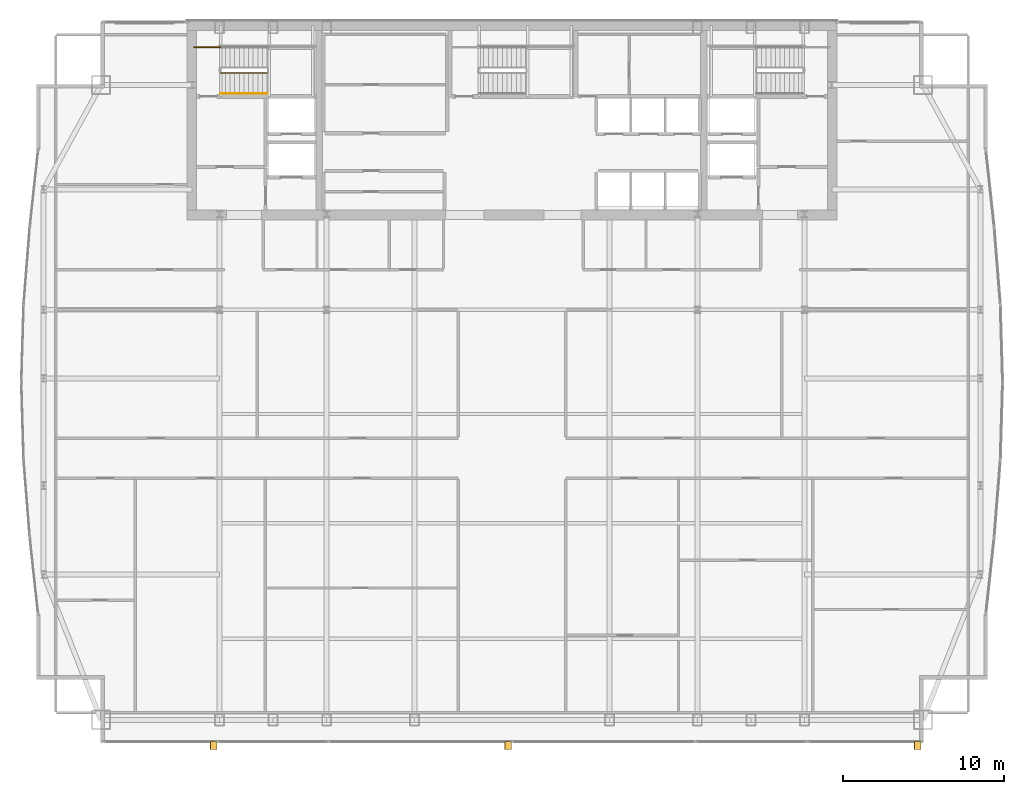
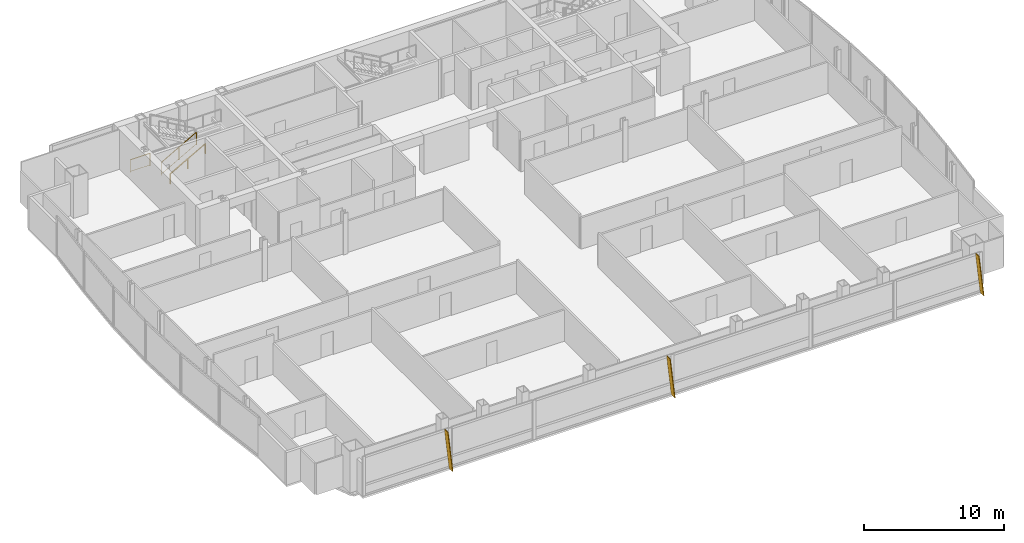
# One storey, part 31 of 32: 3 railings, 3 shading devices.
"""IFC4 building model written with IfcOpenShell, lengths in metres."""

from ifc_helpers import new_model, si_unit, direction, frame, origin, origin_2d, place, context, subcontext, project, spatial, polyline, rectangle, outline, extrude, material, layer, layer_set, type_object, element, save


model = new_model("IFC4")

# Units and contexts
model_context = context("Model", 3, precision=1e-05, world=origin(), true_north=direction((0.0, 1.0)))
body_context = subcontext(model_context, "Body", "Model", "MODEL_VIEW")
ifc_project = project(units=[si_unit("LENGTHUNIT", "METRE"), si_unit("AREAUNIT", "SQUARE_METRE"), si_unit("VOLUMEUNIT", "CUBIC_METRE"), si_unit("PLANEANGLEUNIT", "RADIAN"), si_unit("MASSUNIT", "GRAM", prefix="KILO")], contexts=[model_context])

# Site, building, storey
site_placement = place(None, origin())
site = spatial("IfcSite", under=ifc_project, at=site_placement, CompositionType="ELEMENT")
building_placement = place(site_placement, origin())
building = spatial("IfcBuilding", under=site, at=building_placement, Name="Khoronbel Lancet Exchange", CompositionType="ELEMENT")
storey_placement = place(building_placement, frame((0.0, 0.0, 192.199951171875)))
storey = spatial("IfcBuildingStorey", under=building, at=storey_placement, Name="L48", CompositionType="ELEMENT", Elevation=192.199951171875)

# Railings
ifc_material_1 = material(Name="Painted Steel Balustrade", Category="steel")
railing_type_1 = type_object("IfcRailingType", Name="RL-STG110", PredefinedType="GUARDRAIL", material=ifc_material_1)
railing_1_placement = place(storey_placement, frame((18.300048828125, 50.449951171875, 0.16357421875)))
element("IfcRailing", 1, at=railing_1_placement, inside=storey, type_object=railing_type_1, Name="L48 ST1 stair guard 1", PredefinedType="GUARDRAIL", context=body_context, shape_type="SweptSolid", body=[
    extrude(rectangle(XDim=0.048095703125, YDim=0.048095703125, at=origin_2d()), frame((0.0, 0.0, 1.09619140625), z_axis=(0.870897200241, 0.0, 0.491465224214), x_axis=(0.0, 1.0, 0.0)), (0.0, 0.0, 1.0), 3.329833984375),
    extrude(rectangle(XDim=0.02392578125, YDim=0.02392578125, at=origin_2d()), frame((0.0, 0.0, 0.080078125), z_axis=(0.870897200241, 0.0, 0.491465224214), x_axis=(0.0, 1.0, 0.0)), (0.0, 0.0, 1.0), 3.329833984375),
    extrude(rectangle(XDim=0.0419921875, YDim=0.0419921875, at=origin_2d()), origin(), (0.0, 0.0, 1.0), 1.072021484375),
    extrude(rectangle(XDim=0.0419921875, YDim=0.0419921875, at=origin_2d()), frame((1.449951171875, 0.0, 0.818359375)), (0.0, 0.0, 1.0), 1.072021484375),
    extrude(rectangle(XDim=0.0419921875, YDim=0.0419921875, at=origin_2d()), frame((2.89990234375, 0.0, 1.636474609375)), (0.0, 0.0, 1.0), 1.072021484375),
])
railing_2_placement = place(storey_placement, frame((16.64990234375, 52.050048828125, 0.0)))
element("IfcRailing", 2, at=railing_2_placement, inside=storey, type_object=railing_type_1, Name="L48 ST1 stair guard 6", PredefinedType="GUARDRAIL", context=body_context, shape_type="SweptSolid", body=[
    extrude(rectangle(XDim=0.048095703125, YDim=0.048095703125, at=origin_2d()), frame((0.0, 0.0, 1.09619140625), z_axis=(1.0, 0.0, 0.0), x_axis=(0.0, 1.0, 0.0)), (0.0, 0.0, 1.0), 1.650146484375),
    extrude(rectangle(XDim=0.02392578125, YDim=0.02392578125, at=origin_2d()), frame((0.0, 0.0, 0.080078125), z_axis=(1.0, 0.0, 0.0), x_axis=(0.0, 1.0, 0.0)), (0.0, 0.0, 1.0), 1.650146484375),
    extrude(rectangle(XDim=0.0419921875, YDim=0.0419921875, at=origin_2d()), origin(), (0.0, 0.0, 1.0), 1.072021484375),
    extrude(rectangle(XDim=0.0419921875, YDim=0.0419921875, at=origin_2d()), frame((1.650146484375, 0.0, 0.0)), (0.0, 0.0, 1.0), 1.072021484375),
])
ifc_material_2 = material(Name="Brushed Stainless Steel 316", Category="steel")
railing_type_2 = type_object("IfcRailingType", Name="RL-STH92", PredefinedType="HANDRAIL", material=ifc_material_2)
railing_3_placement = place(storey_placement, frame((18.300048828125, 49.169921875, 0.16357421875)))
element("IfcRailing", 3, at=railing_3_placement, inside=storey, type_object=railing_type_2, Name="L48 ST1 stair handrail 1", PredefinedType="HANDRAIL", context=body_context, shape_type="SweptSolid", body=[
    extrude(rectangle(XDim=0.048095703125, YDim=0.048095703125, at=origin_2d()), frame((0.0, 0.0, 0.8759765625), z_axis=(0.870897200241, 0.0, 0.491465224214), x_axis=(0.0, 1.0, 0.0)), (0.0, 0.0, 1.0), 3.329833984375),
    extrude(rectangle(XDim=0.0419921875, YDim=0.0419921875, at=origin_2d()), origin(), (0.0, 0.0, 1.0), 0.851806640625),
    extrude(rectangle(XDim=0.0419921875, YDim=0.0419921875, at=origin_2d()), frame((1.449951171875, 0.0, 0.818359375)), (0.0, 0.0, 1.0), 0.851806640625),
    extrude(rectangle(XDim=0.0419921875, YDim=0.0419921875, at=origin_2d()), frame((2.89990234375, 0.0, 1.636474609375)), (0.0, 0.0, 1.0), 0.851806640625),
])

# Shading devices
ifc_material_3 = material(Name="Bronze-Anodised Aluminium 6063-T6", Category="aluminium")
ifc_layer = layer(ifc_material_3, 0.054931640625, Name="Bronze-Anodised Aluminium 6063-T6")
ifc_layer_set = layer_set([ifc_layer], Name="Bronze-Anodised Aluminium 6063-T6")
shading_device_type = type_object("IfcShadingDeviceType", Name="SHD-FIN1", PredefinedType="USERDEFINED", material=ifc_layer_set)
for number, where, z_axis, x_axis, name in (
    (4, (18.072509765625, 8.81005859375, -0.079833984375), (0.99389951861, 0.0, 0.110289378034), (0.0, -1.0, 0.0), "Slanted bronze solar fin CW-L48-SWV-1"),
    (5, (36.422607421875, 8.81005859375, -0.079833984375), (0.99389951861, 0.0, 0.110289378034), (0.0, -1.0, 0.0), "Slanted bronze solar fin CW-L48-SCV-1"),
    (6, (61.9326171875, 8.81005859375, -0.079833984375), (0.99389951861, 0.0, 0.110289378034), (0.0, -1.0, 0.0), "Slanted bronze solar fin CW-L48-SEV-1"),
):
    element("IfcShadingDevice", number, at=place(storey_placement, frame(where, z_axis=z_axis, x_axis=x_axis)), inside=storey, type_object=shading_device_type, Name=name, ObjectType="FIN", PredefinedType="USERDEFINED", context=body_context, shape_type="SweptSolid", body=[
        extrude(outline(polyline([(0.0, 0.0), (0.52001953125, 0.0), (0.52001953125, -3.58154296875), (0.0, -3.58154296875), (0.0, 0.0)])), origin(), (0.0, 0.0, -1.0), 0.054931640625),
    ])

save(model, "model.ifc")
